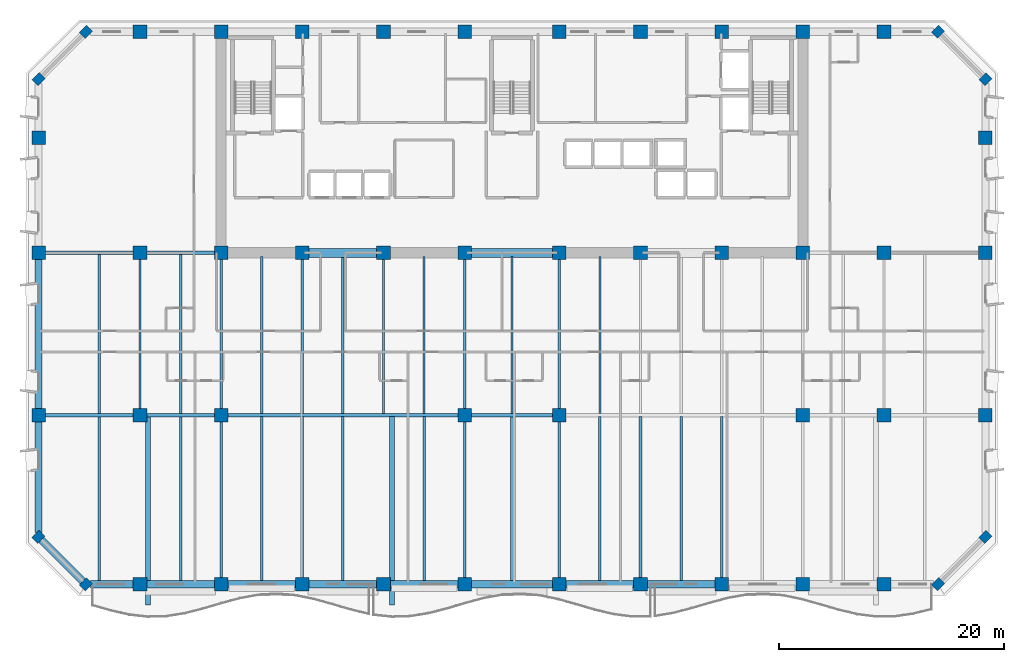
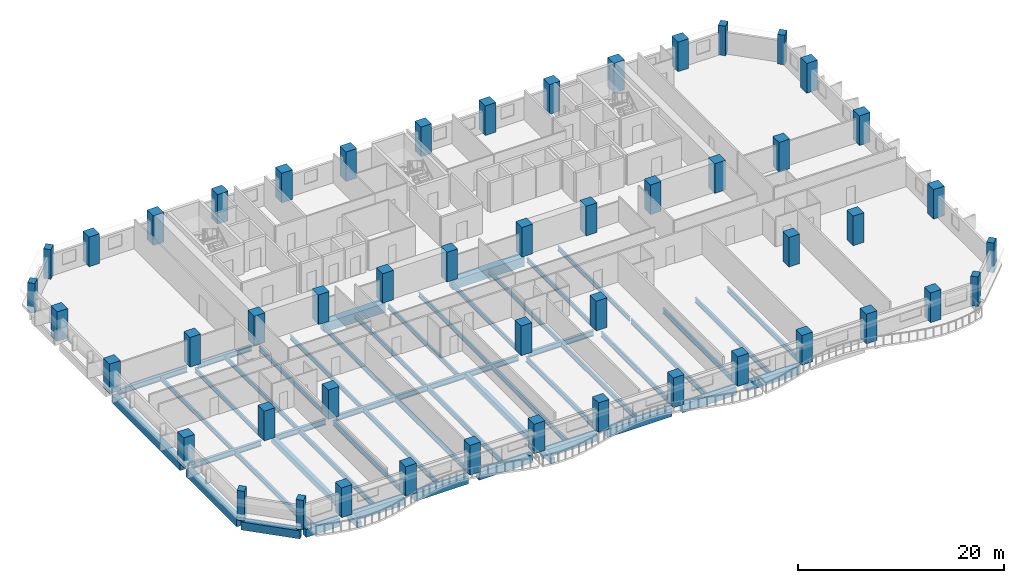
# One storey, part 1 of 14: 50 columns, 48 beams.
"""IFC4 building model written with IfcOpenShell, lengths in metres."""

from ifc_helpers import new_model, si_unit, direction, frame, origin, origin_2d, place, context, subcontext, project, spatial, rectangle, i_section, extrude, material, material_profile, profile_set, type_object, element, save


model = new_model("IFC4")

# Units and contexts
model_context = context("Model", 3, precision=1e-05, world=origin(), true_north=direction((0.0, 1.0)))
body_context = subcontext(model_context, "Body", "Model", "MODEL_VIEW")
ifc_project = project(units=[si_unit("LENGTHUNIT", "METRE"), si_unit("AREAUNIT", "SQUARE_METRE"), si_unit("VOLUMEUNIT", "CUBIC_METRE"), si_unit("PLANEANGLEUNIT", "RADIAN"), si_unit("MASSUNIT", "GRAM", prefix="KILO")], contexts=[model_context])

# Site, building, storey
site_placement = place(None, origin())
site = spatial("IfcSite", under=ifc_project, at=site_placement, CompositionType="ELEMENT")
building_placement = place(site_placement, origin())
building = spatial("IfcBuilding", under=site, at=building_placement, Name="Kaelvorn Grand Hotel", CompositionType="ELEMENT")
storey_placement = place(building_placement, frame((0.0, 0.0, 89.300048828125)))
storey = spatial("IfcBuildingStorey", under=building, at=storey_placement, Name="L20", CompositionType="ELEMENT", Elevation=89.300048828125)

# Columns
ifc_material_1 = material(Name="Concrete C60/75", Category="concrete")
ifc_material_profile_1 = material_profile(ifc_material_1, rectangle(XDim=0.89990234375, YDim=0.75, at=origin_2d()), Name="RC PILASTER 900x750")
ifc_profile_set_1 = profile_set([ifc_material_profile_1], Name="Concrete C60/75")
column_type_1 = type_object("IfcColumnType", Name="COL-PIL-900x750-C60", PredefinedType="PILASTER", material=ifc_profile_set_1)
for number, where, z_axis, x_axis, name in (
    (1, (4.199951171875, 0.0, 0.0), (0.0, 0.0, 1.0), (0.707106781187, 0.707106781187, 0.0), "L20 Structural Column CH-01"),
    (2, (79.800048828125, 0.0, 0.0), (0.0, 0.0, 1.0), (0.707106781187, 0.707106781187, 0.0), "L20 Structural Column CH-02"),
    (3, (84.0, 4.199951171875, 0.0), (0.0, 0.0, 1.0), (0.707106781187, 0.707106781187, 0.0), "L20 Structural Column CH-03"),
    (4, (84.0, 44.800048828125, 0.0), (0.0, 0.0, 1.0), (0.707106781187, 0.707106781187, 0.0), "L20 Structural Column CH-04"),
    (5, (79.800048828125, 49.0, 0.0), (0.0, 0.0, 1.0), (0.707106781187, 0.707106781187, 0.0), "L20 Structural Column CH-05"),
    (6, (4.199951171875, 49.0, 0.0), (0.0, 0.0, 1.0), (0.707106781187, 0.707106781187, 0.0), "L20 Structural Column CH-06"),
    (7, (0.0, 44.800048828125, 0.0), (0.0, 0.0, 1.0), (0.707106781187, 0.707106781187, 0.0), "L20 Structural Column CH-07"),
    (8, (0.0, 4.199951171875, 0.0), (0.0, 0.0, 1.0), (0.707106781187, 0.707106781187, 0.0), "L20 Structural Column CH-08"),
):
    element("IfcColumn", number, at=place(storey_placement, frame(where, z_axis=z_axis, x_axis=x_axis)), inside=storey, type_object=column_type_1, Name=name, PredefinedType="PILASTER", context=body_context, shape_type="SweptSolid", body=[
        extrude(rectangle(XDim=0.89990234375, YDim=0.75, at=origin_2d()), origin(), (0.0, 0.0, 1.0), 3.510009765625),
    ])
ifc_material_profile_2 = material_profile(ifc_material_1, rectangle(XDim=1.199951171875, YDim=1.199951171875, at=origin_2d()), Name="RC COL 1200x1200")
ifc_profile_set_2 = profile_set([ifc_material_profile_2], Name="Concrete C60/75")
column_type_2 = type_object("IfcColumnType", Name="COL-RC-1200-C60", PredefinedType="COLUMN", material=ifc_profile_set_2)
for number, where, z_axis, x_axis, name in (
    (9, (9.0, 0.0, 0.0), (0.0, 0.0, 1.0), (1.0, 0.0, 0.0), "L20 Structural Column S-01"),
    (10, (16.199951171875, 0.0, 0.0), (0.0, 0.0, 1.0), (1.0, 0.0, 0.0), "L20 Structural Column S-02"),
    (11, (23.39990234375, 0.0, 0.0), (0.0, 0.0, 1.0), (1.0, 0.0, 0.0), "L20 Structural Column S-03"),
    (12, (30.60009765625, 0.0, 0.0), (0.0, 0.0, 1.0), (1.0, 0.0, 0.0), "L20 Structural Column S-04"),
    (13, (37.800048828125, 0.0, 0.0), (0.0, 0.0, 1.0), (1.0, 0.0, 0.0), "L20 Structural Column S-05"),
    (14, (46.199951171875, 0.0, 0.0), (0.0, 0.0, 1.0), (1.0, 0.0, 0.0), "L20 Structural Column S-06"),
    (15, (53.39990234375, 0.0, 0.0), (0.0, 0.0, 1.0), (1.0, 0.0, 0.0), "L20 Structural Column S-07"),
    (16, (60.60009765625, 0.0, 0.0), (0.0, 0.0, 1.0), (1.0, 0.0, 0.0), "L20 Structural Column S-08"),
    (17, (67.800048828125, 0.0, 0.0), (0.0, 0.0, 1.0), (1.0, 0.0, 0.0), "L20 Structural Column S-09"),
    (18, (75.0, 0.0, 0.0), (0.0, 0.0, 1.0), (1.0, 0.0, 0.0), "L20 Structural Column S-10"),
    (19, (0.0, 15.0, 0.0), (0.0, 0.0, 1.0), (1.0, 0.0, 0.0), "L20 Structural Column W-01"),
    (20, (84.0, 15.0, 0.0), (0.0, 0.0, 1.0), (1.0, 0.0, 0.0), "L20 Structural Column E-01"),
    (21, (0.0, 29.39990234375, 0.0), (0.0, 0.0, 1.0), (1.0, 0.0, 0.0), "L20 Structural Column W-02"),
    (22, (84.0, 29.39990234375, 0.0), (0.0, 0.0, 1.0), (1.0, 0.0, 0.0), "L20 Structural Column E-02"),
    (23, (0.0, 39.60009765625, 0.0), (0.0, 0.0, 1.0), (1.0, 0.0, 0.0), "L20 Structural Column W-03"),
    (24, (84.0, 39.60009765625, 0.0), (0.0, 0.0, 1.0), (1.0, 0.0, 0.0), "L20 Structural Column E-03"),
    (25, (9.0, 15.0, 0.0), (0.0, 0.0, 1.0), (1.0, 0.0, 0.0), "L20 Structural Column M-01"),
    (26, (16.199951171875, 15.0, 0.0), (0.0, 0.0, 1.0), (1.0, 0.0, 0.0), "L20 Structural Column M-02"),
    (27, (37.800048828125, 15.0, 0.0), (0.0, 0.0, 1.0), (1.0, 0.0, 0.0), "L20 Structural Column M-03"),
    (28, (46.199951171875, 15.0, 0.0), (0.0, 0.0, 1.0), (1.0, 0.0, 0.0), "L20 Structural Column M-04"),
    (29, (67.800048828125, 15.0, 0.0), (0.0, 0.0, 1.0), (1.0, 0.0, 0.0), "L20 Structural Column M-05"),
    (30, (75.0, 15.0, 0.0), (0.0, 0.0, 1.0), (1.0, 0.0, 0.0), "L20 Structural Column M-06"),
    (31, (9.0, 29.39990234375, 0.0), (0.0, 0.0, 1.0), (1.0, 0.0, 0.0), "L20 Structural Column CR1-01"),
    (32, (9.0, 49.0, 0.0), (0.0, 0.0, 1.0), (1.0, 0.0, 0.0), "L20 Structural Column CR2-01"),
    (33, (16.199951171875, 29.39990234375, 0.0), (0.0, 0.0, 1.0), (1.0, 0.0, 0.0), "L20 Structural Column CR1-02"),
    (34, (16.199951171875, 49.0, 0.0), (0.0, 0.0, 1.0), (1.0, 0.0, 0.0), "L20 Structural Column CR2-02"),
    (35, (23.39990234375, 29.39990234375, 0.0), (0.0, 0.0, 1.0), (1.0, 0.0, 0.0), "L20 Structural Column CR1-03"),
    (36, (23.39990234375, 49.0, 0.0), (0.0, 0.0, 1.0), (1.0, 0.0, 0.0), "L20 Structural Column CR2-03"),
    (37, (30.60009765625, 29.39990234375, 0.0), (0.0, 0.0, 1.0), (1.0, 0.0, 0.0), "L20 Structural Column CR1-04"),
    (38, (30.60009765625, 49.0, 0.0), (0.0, 0.0, 1.0), (1.0, 0.0, 0.0), "L20 Structural Column CR2-04"),
    (39, (37.800048828125, 29.39990234375, 0.0), (0.0, 0.0, 1.0), (1.0, 0.0, 0.0), "L20 Structural Column CR1-05"),
    (40, (37.800048828125, 49.0, 0.0), (0.0, 0.0, 1.0), (1.0, 0.0, 0.0), "L20 Structural Column CR2-05"),
    (41, (46.199951171875, 29.39990234375, 0.0), (0.0, 0.0, 1.0), (1.0, 0.0, 0.0), "L20 Structural Column CR1-06"),
    (42, (46.199951171875, 49.0, 0.0), (0.0, 0.0, 1.0), (1.0, 0.0, 0.0), "L20 Structural Column CR2-06"),
    (43, (53.39990234375, 29.39990234375, 0.0), (0.0, 0.0, 1.0), (1.0, 0.0, 0.0), "L20 Structural Column CR1-07"),
    (44, (53.39990234375, 49.0, 0.0), (0.0, 0.0, 1.0), (1.0, 0.0, 0.0), "L20 Structural Column CR2-07"),
    (45, (60.60009765625, 29.39990234375, 0.0), (0.0, 0.0, 1.0), (1.0, 0.0, 0.0), "L20 Structural Column CR1-08"),
    (46, (60.60009765625, 49.0, 0.0), (0.0, 0.0, 1.0), (1.0, 0.0, 0.0), "L20 Structural Column CR2-08"),
    (47, (67.800048828125, 29.39990234375, 0.0), (0.0, 0.0, 1.0), (1.0, 0.0, 0.0), "L20 Structural Column CR1-09"),
    (48, (67.800048828125, 49.0, 0.0), (0.0, 0.0, 1.0), (1.0, 0.0, 0.0), "L20 Structural Column CR2-09"),
    (49, (75.0, 29.39990234375, 0.0), (0.0, 0.0, 1.0), (1.0, 0.0, 0.0), "L20 Structural Column CR1-10"),
    (50, (75.0, 49.0, 0.0), (0.0, 0.0, 1.0), (1.0, 0.0, 0.0), "L20 Structural Column CR2-10"),
):
    element("IfcColumn", number, at=place(storey_placement, frame(where, z_axis=z_axis, x_axis=x_axis)), inside=storey, type_object=column_type_2, Name=name, PredefinedType="COLUMN", context=body_context, shape_type="SweptSolid", body=[
        extrude(rectangle(XDim=1.199951171875, YDim=1.199951171875, at=origin_2d()), origin(), (0.0, 0.0, 1.0), 3.510009765625),
    ])

# Beams
ifc_material_2 = material(Name="Steel S355", Category="steel")
ifc_material_profile_3 = material_profile(ifc_material_2, i_section(OverallWidth=0.300048828125, OverallDepth=0.64990234375, WebThickness=0.01611328125, FlangeThickness=0.031005859375, FilletRadius=0.027099609375, at=origin_2d()), Name="HEB 650")
ifc_profile_set_3 = profile_set([ifc_material_profile_3], Name="Steel S355")
beam_type_1 = type_object("IfcBeamType", Name="BM-G-HEB650-S355", PredefinedType="BEAM", material=ifc_profile_set_3)
beam_1_placement = place(storey_placement, frame((0.5849609375, 15.0, -0.56494140625), z_axis=(1.0, 0.0, 0.0), x_axis=(0.0, 1.0, 0.0)))
element("IfcBeam", 51, at=beam_1_placement, inside=storey, type_object=beam_type_1, Name="L20 Primary Spine Steel Girder G-15 01", PredefinedType="BEAM", context=body_context, shape_type="SweptSolid", body=[
    extrude(i_section(OverallWidth=0.300048828125, OverallDepth=0.64990234375, WebThickness=0.01611328125, FlangeThickness=0.031005859375, FilletRadius=0.027099609375, at=origin_2d()), origin(), (0.0, 0.0, 1.0), 7.830078125),
])
beam_2_placement = place(storey_placement, frame((9.5849609375, 15.0, -0.56494140625), z_axis=(1.0, 0.0, 0.0), x_axis=(0.0, 1.0, 0.0)))
element("IfcBeam", 52, at=beam_2_placement, inside=storey, type_object=beam_type_1, Name="L20 Primary Spine Steel Girder G-15 02", PredefinedType="BEAM", context=body_context, shape_type="SweptSolid", body=[
    extrude(i_section(OverallWidth=0.300048828125, OverallDepth=0.64990234375, WebThickness=0.01611328125, FlangeThickness=0.031005859375, FilletRadius=0.027099609375, at=origin_2d()), origin(), (0.0, 0.0, 1.0), 6.030029296875),
])
beam_3_placement = place(storey_placement, frame((16.784912109375, 15.0, -0.56494140625), z_axis=(1.0, 0.0, 0.0), x_axis=(0.0, 1.0, 0.0)))
element("IfcBeam", 53, at=beam_3_placement, inside=storey, type_object=beam_type_1, Name="L20 Primary Spine Steel Girder G-15 03", PredefinedType="BEAM", context=body_context, shape_type="SweptSolid", body=[
    extrude(i_section(OverallWidth=0.300048828125, OverallDepth=0.64990234375, WebThickness=0.01611328125, FlangeThickness=0.031005859375, FilletRadius=0.027099609375, at=origin_2d()), origin(), (0.0, 0.0, 1.0), 20.43017578125),
])
beam_4_placement = place(storey_placement, frame((38.385009765625, 15.0, -0.56494140625), z_axis=(1.0, 0.0, 0.0), x_axis=(0.0, 1.0, 0.0)))
element("IfcBeam", 54, at=beam_4_placement, inside=storey, type_object=beam_type_1, Name="L20 Primary Spine Steel Girder G-15 04", PredefinedType="BEAM", context=body_context, shape_type="SweptSolid", body=[
    extrude(i_section(OverallWidth=0.300048828125, OverallDepth=0.64990234375, WebThickness=0.01611328125, FlangeThickness=0.031005859375, FilletRadius=0.027099609375, at=origin_2d()), origin(), (0.0, 0.0, 1.0), 7.22998046875),
])
beam_5_placement = place(storey_placement, frame((0.5849609375, 29.39990234375, -0.56494140625), z_axis=(1.0, 0.0, 0.0), x_axis=(0.0, 1.0, 0.0)))
element("IfcBeam", 55, at=beam_5_placement, inside=storey, type_object=beam_type_1, Name="L20 West Core Wing Steel Girder G-29W 01", PredefinedType="BEAM", context=body_context, shape_type="SweptSolid", body=[
    extrude(i_section(OverallWidth=0.300048828125, OverallDepth=0.64990234375, WebThickness=0.01611328125, FlangeThickness=0.031005859375, FilletRadius=0.027099609375, at=origin_2d()), origin(), (0.0, 0.0, 1.0), 7.830078125),
])
beam_6_placement = place(storey_placement, frame((9.5849609375, 29.39990234375, -0.56494140625), z_axis=(1.0, 0.0, 0.0), x_axis=(0.0, 1.0, 0.0)))
element("IfcBeam", 56, at=beam_6_placement, inside=storey, type_object=beam_type_1, Name="L20 West Core Wing Steel Girder G-29W 02", PredefinedType="BEAM", context=body_context, shape_type="SweptSolid", body=[
    extrude(i_section(OverallWidth=0.300048828125, OverallDepth=0.64990234375, WebThickness=0.01611328125, FlangeThickness=0.031005859375, FilletRadius=0.027099609375, at=origin_2d()), origin(), (0.0, 0.0, 1.0), 6.030029296875),
])
ifc_material_profile_4 = material_profile(ifc_material_2, i_section(OverallWidth=0.209228515625, OverallDepth=0.533203125, WebThickness=0.010009765625, FlangeThickness=0.015625, FilletRadius=0.0126953125, at=origin_2d()), Name="UB 533x210x92")
ifc_profile_set_4 = profile_set([ifc_material_profile_4], Name="Steel S355")
beam_type_2 = type_object("IfcBeamType", Name="BM-J-UB533-S355", PredefinedType="JOIST", material=ifc_profile_set_4)
beam_7_placement = place(storey_placement, frame((5.39990234375, 15.135009765625, -0.506591796875), z_axis=(0.0, 1.0, 0.0), x_axis=(-1.0, 0.0, 0.0)))
element("IfcBeam", 57, at=beam_7_placement, inside=storey, type_object=beam_type_2, Name="L20 Composite Floor Joist JM-02", PredefinedType="JOIST", context=body_context, shape_type="SweptSolid", body=[
    extrude(i_section(OverallWidth=0.209228515625, OverallDepth=0.533203125, WebThickness=0.010009765625, FlangeThickness=0.015625, FilletRadius=0.0126953125, at=origin_2d()), origin(), (0.0, 0.0, 1.0), 14.1298828125),
])
beam_8_placement = place(storey_placement, frame((9.0, 15.5849609375, -0.506591796875), z_axis=(0.0, 1.0, 0.0), x_axis=(-1.0, 0.0, 0.0)))
element("IfcBeam", 58, at=beam_8_placement, inside=storey, type_object=beam_type_2, Name="L20 Composite Floor Joist JM-03", PredefinedType="JOIST", context=body_context, shape_type="SweptSolid", body=[
    extrude(i_section(OverallWidth=0.209228515625, OverallDepth=0.533203125, WebThickness=0.010009765625, FlangeThickness=0.015625, FilletRadius=0.0126953125, at=origin_2d()), origin(), (0.0, 0.0, 1.0), 13.22998046875),
])
beam_9_placement = place(storey_placement, frame((12.60009765625, 15.135009765625, -0.506591796875), z_axis=(0.0, 1.0, 0.0), x_axis=(-1.0, 0.0, 0.0)))
element("IfcBeam", 59, at=beam_9_placement, inside=storey, type_object=beam_type_2, Name="L20 Composite Floor Joist JM-04", PredefinedType="JOIST", context=body_context, shape_type="SweptSolid", body=[
    extrude(i_section(OverallWidth=0.209228515625, OverallDepth=0.533203125, WebThickness=0.010009765625, FlangeThickness=0.015625, FilletRadius=0.0126953125, at=origin_2d()), origin(), (0.0, 0.0, 1.0), 14.1298828125),
])
beam_10_placement = place(storey_placement, frame((16.199951171875, 15.5849609375, -0.506591796875), z_axis=(0.0, 1.0, 0.0), x_axis=(-1.0, 0.0, 0.0)))
element("IfcBeam", 60, at=beam_10_placement, inside=storey, type_object=beam_type_2, Name="L20 Composite Floor Joist JM-05", PredefinedType="JOIST", context=body_context, shape_type="SweptSolid", body=[
    extrude(i_section(OverallWidth=0.209228515625, OverallDepth=0.533203125, WebThickness=0.010009765625, FlangeThickness=0.015625, FilletRadius=0.0126953125, at=origin_2d()), origin(), (0.0, 0.0, 1.0), 13.22998046875),
])
beam_11_placement = place(storey_placement, frame((19.800048828125, 15.135009765625, -0.506591796875), z_axis=(0.0, 1.0, 0.0), x_axis=(-1.0, 0.0, 0.0)))
element("IfcBeam", 61, at=beam_11_placement, inside=storey, type_object=beam_type_2, Name="L20 Composite Floor Joist JM-06", PredefinedType="JOIST", context=body_context, shape_type="SweptSolid", body=[
    extrude(i_section(OverallWidth=0.209228515625, OverallDepth=0.533203125, WebThickness=0.010009765625, FlangeThickness=0.015625, FilletRadius=0.0126953125, at=origin_2d()), origin(), (0.0, 0.0, 1.0), 13.925048828125),
])
beam_12_placement = place(storey_placement, frame((23.39990234375, 15.135009765625, -0.506591796875), z_axis=(0.0, 1.0, 0.0), x_axis=(-1.0, 0.0, 0.0)))
element("IfcBeam", 62, at=beam_12_placement, inside=storey, type_object=beam_type_2, Name="L20 Composite Floor Joist JM-07", PredefinedType="JOIST", context=body_context, shape_type="SweptSolid", body=[
    extrude(i_section(OverallWidth=0.209228515625, OverallDepth=0.533203125, WebThickness=0.010009765625, FlangeThickness=0.015625, FilletRadius=0.0126953125, at=origin_2d()), origin(), (0.0, 0.0, 1.0), 13.679931640625),
])
beam_13_placement = place(storey_placement, frame((27.0, 15.135009765625, -0.506591796875), z_axis=(0.0, 1.0, 0.0), x_axis=(-1.0, 0.0, 0.0)))
element("IfcBeam", 63, at=beam_13_placement, inside=storey, type_object=beam_type_2, Name="L20 Composite Floor Joist JM-08", PredefinedType="JOIST", context=body_context, shape_type="SweptSolid", body=[
    extrude(i_section(OverallWidth=0.209228515625, OverallDepth=0.533203125, WebThickness=0.010009765625, FlangeThickness=0.015625, FilletRadius=0.0126953125, at=origin_2d()), origin(), (0.0, 0.0, 1.0), 13.925048828125),
])
beam_14_placement = place(storey_placement, frame((30.60009765625, 15.135009765625, -0.506591796875), z_axis=(0.0, 1.0, 0.0), x_axis=(-1.0, 0.0, 0.0)))
element("IfcBeam", 64, at=beam_14_placement, inside=storey, type_object=beam_type_2, Name="L20 Composite Floor Joist JM-09", PredefinedType="JOIST", context=body_context, shape_type="SweptSolid", body=[
    extrude(i_section(OverallWidth=0.209228515625, OverallDepth=0.533203125, WebThickness=0.010009765625, FlangeThickness=0.015625, FilletRadius=0.0126953125, at=origin_2d()), origin(), (0.0, 0.0, 1.0), 13.679931640625),
])
beam_15_placement = place(storey_placement, frame((34.199951171875, 15.135009765625, -0.506591796875), z_axis=(0.0, 1.0, 0.0), x_axis=(-1.0, 0.0, 0.0)))
element("IfcBeam", 65, at=beam_15_placement, inside=storey, type_object=beam_type_2, Name="L20 Composite Floor Joist JM-10", PredefinedType="JOIST", context=body_context, shape_type="SweptSolid", body=[
    extrude(i_section(OverallWidth=0.209228515625, OverallDepth=0.533203125, WebThickness=0.010009765625, FlangeThickness=0.015625, FilletRadius=0.0126953125, at=origin_2d()), origin(), (0.0, 0.0, 1.0), 13.925048828125),
])
beam_16_placement = place(storey_placement, frame((37.800048828125, 15.5849609375, -0.506591796875), z_axis=(0.0, 1.0, 0.0), x_axis=(-1.0, 0.0, 0.0)))
element("IfcBeam", 66, at=beam_16_placement, inside=storey, type_object=beam_type_2, Name="L20 Composite Floor Joist JM-11", PredefinedType="JOIST", context=body_context, shape_type="SweptSolid", body=[
    extrude(i_section(OverallWidth=0.209228515625, OverallDepth=0.533203125, WebThickness=0.010009765625, FlangeThickness=0.015625, FilletRadius=0.0126953125, at=origin_2d()), origin(), (0.0, 0.0, 1.0), 13.22998046875),
])
beam_17_placement = place(storey_placement, frame((42.0, 15.135009765625, -0.506591796875), z_axis=(0.0, 1.0, 0.0), x_axis=(-1.0, 0.0, 0.0)))
element("IfcBeam", 67, at=beam_17_placement, inside=storey, type_object=beam_type_2, Name="L20 Composite Floor Joist JM-12", PredefinedType="JOIST", context=body_context, shape_type="SweptSolid", body=[
    extrude(i_section(OverallWidth=0.209228515625, OverallDepth=0.533203125, WebThickness=0.010009765625, FlangeThickness=0.015625, FilletRadius=0.0126953125, at=origin_2d()), origin(), (0.0, 0.0, 1.0), 13.925048828125),
])
beam_18_placement = place(storey_placement, frame((46.199951171875, 15.5849609375, -0.506591796875), z_axis=(0.0, 1.0, 0.0), x_axis=(-1.0, 0.0, 0.0)))
element("IfcBeam", 68, at=beam_18_placement, inside=storey, type_object=beam_type_2, Name="L20 Composite Floor Joist JM-13", PredefinedType="JOIST", context=body_context, shape_type="SweptSolid", body=[
    extrude(i_section(OverallWidth=0.209228515625, OverallDepth=0.533203125, WebThickness=0.010009765625, FlangeThickness=0.015625, FilletRadius=0.0126953125, at=origin_2d()), origin(), (0.0, 0.0, 1.0), 13.22998046875),
])
beam_19_placement = place(storey_placement, frame((49.800048828125, 15.135009765625, -0.506591796875), z_axis=(0.0, 1.0, 0.0), x_axis=(-1.0, 0.0, 0.0)))
element("IfcBeam", 69, at=beam_19_placement, inside=storey, type_object=beam_type_2, Name="L20 Composite Floor Joist JM-14", PredefinedType="JOIST", context=body_context, shape_type="SweptSolid", body=[
    extrude(i_section(OverallWidth=0.209228515625, OverallDepth=0.533203125, WebThickness=0.010009765625, FlangeThickness=0.015625, FilletRadius=0.0126953125, at=origin_2d()), origin(), (0.0, 0.0, 1.0), 13.925048828125),
])
ifc_material_profile_5 = material_profile(ifc_material_2, i_section(OverallWidth=0.22900390625, OverallDepth=0.6123046875, WebThickness=0.011962890625, FlangeThickness=0.01953125, FilletRadius=0.0126953125, at=origin_2d()), Name="UB 610x229x125")
ifc_profile_set_5 = profile_set([ifc_material_profile_5], Name="Steel S355")
beam_type_3 = type_object("IfcBeamType", Name="BM-J-UB610-S355", PredefinedType="JOIST", material=ifc_profile_set_5)
for number, where, z_axis, x_axis, name in (
    (70, (5.39990234375, 0.31005859375, -0.546142578125), (0.0, 1.0, 0.0), (-1.0, 0.0, 0.0), "L20 Composite Floor Joist JS-02"),
    (71, (12.60009765625, 0.31005859375, -0.546142578125), (0.0, 1.0, 0.0), (-1.0, 0.0, 0.0), "L20 Composite Floor Joist JS-04"),
):
    element("IfcBeam", number, at=place(storey_placement, frame(where, z_axis=z_axis, x_axis=x_axis)), inside=storey, type_object=beam_type_3, Name=name, PredefinedType="JOIST", context=body_context, shape_type="SweptSolid", body=[
        extrude(i_section(OverallWidth=0.22900390625, OverallDepth=0.6123046875, WebThickness=0.011962890625, FlangeThickness=0.01953125, FilletRadius=0.0126953125, at=origin_2d()), origin(), (0.0, 0.0, 1.0), 14.554931640625),
    ])
beam_20_placement = place(storey_placement, frame((16.199951171875, 0.5849609375, -0.546142578125), z_axis=(0.0, 1.0, 0.0), x_axis=(-1.0, 0.0, 0.0)))
element("IfcBeam", 72, at=beam_20_placement, inside=storey, type_object=beam_type_3, Name="L20 Composite Floor Joist JS-05", PredefinedType="JOIST", context=body_context, shape_type="SweptSolid", body=[
    extrude(i_section(OverallWidth=0.22900390625, OverallDepth=0.6123046875, WebThickness=0.011962890625, FlangeThickness=0.01953125, FilletRadius=0.0126953125, at=origin_2d()), origin(), (0.0, 0.0, 1.0), 13.830078125),
])
beam_21_placement = place(storey_placement, frame((19.800048828125, 0.31005859375, -0.546142578125), z_axis=(0.0, 1.0, 0.0), x_axis=(-1.0, 0.0, 0.0)))
element("IfcBeam", 73, at=beam_21_placement, inside=storey, type_object=beam_type_3, Name="L20 Composite Floor Joist JS-06", PredefinedType="JOIST", context=body_context, shape_type="SweptSolid", body=[
    extrude(i_section(OverallWidth=0.22900390625, OverallDepth=0.6123046875, WebThickness=0.011962890625, FlangeThickness=0.01953125, FilletRadius=0.0126953125, at=origin_2d()), origin(), (0.0, 0.0, 1.0), 14.554931640625),
])
beam_22_placement = place(storey_placement, frame((23.39990234375, 0.5849609375, -0.546142578125), z_axis=(0.0, 1.0, 0.0), x_axis=(-1.0, 0.0, 0.0)))
element("IfcBeam", 74, at=beam_22_placement, inside=storey, type_object=beam_type_3, Name="L20 Composite Floor Joist JS-07", PredefinedType="JOIST", context=body_context, shape_type="SweptSolid", body=[
    extrude(i_section(OverallWidth=0.22900390625, OverallDepth=0.6123046875, WebThickness=0.011962890625, FlangeThickness=0.01953125, FilletRadius=0.0126953125, at=origin_2d()), origin(), (0.0, 0.0, 1.0), 14.280029296875),
])
for number, where, z_axis, x_axis, name in (
    (75, (27.0, 0.31005859375, -0.546142578125), (0.0, 1.0, 0.0), (-1.0, 0.0, 0.0), "L20 Composite Floor Joist JS-08"),
    (76, (34.199951171875, 0.31005859375, -0.546142578125), (0.0, 1.0, 0.0), (-1.0, 0.0, 0.0), "L20 Composite Floor Joist JS-10"),
):
    element("IfcBeam", number, at=place(storey_placement, frame(where, z_axis=z_axis, x_axis=x_axis)), inside=storey, type_object=beam_type_3, Name=name, PredefinedType="JOIST", context=body_context, shape_type="SweptSolid", body=[
        extrude(i_section(OverallWidth=0.22900390625, OverallDepth=0.6123046875, WebThickness=0.011962890625, FlangeThickness=0.01953125, FilletRadius=0.0126953125, at=origin_2d()), origin(), (0.0, 0.0, 1.0), 14.554931640625),
    ])
beam_23_placement = place(storey_placement, frame((37.800048828125, 0.5849609375, -0.546142578125), z_axis=(0.0, 1.0, 0.0), x_axis=(-1.0, 0.0, 0.0)))
element("IfcBeam", 77, at=beam_23_placement, inside=storey, type_object=beam_type_3, Name="L20 Composite Floor Joist JS-11", PredefinedType="JOIST", context=body_context, shape_type="SweptSolid", body=[
    extrude(i_section(OverallWidth=0.22900390625, OverallDepth=0.6123046875, WebThickness=0.011962890625, FlangeThickness=0.01953125, FilletRadius=0.0126953125, at=origin_2d()), origin(), (0.0, 0.0, 1.0), 13.830078125),
])
beam_24_placement = place(storey_placement, frame((42.0, 0.31005859375, -0.546142578125), z_axis=(0.0, 1.0, 0.0), x_axis=(-1.0, 0.0, 0.0)))
element("IfcBeam", 78, at=beam_24_placement, inside=storey, type_object=beam_type_3, Name="L20 Composite Floor Joist JS-12", PredefinedType="JOIST", context=body_context, shape_type="SweptSolid", body=[
    extrude(i_section(OverallWidth=0.22900390625, OverallDepth=0.6123046875, WebThickness=0.011962890625, FlangeThickness=0.01953125, FilletRadius=0.0126953125, at=origin_2d()), origin(), (0.0, 0.0, 1.0), 14.554931640625),
])
beam_25_placement = place(storey_placement, frame((46.199951171875, 0.5849609375, -0.546142578125), z_axis=(0.0, 1.0, 0.0), x_axis=(-1.0, 0.0, 0.0)))
element("IfcBeam", 79, at=beam_25_placement, inside=storey, type_object=beam_type_3, Name="L20 Composite Floor Joist JS-13", PredefinedType="JOIST", context=body_context, shape_type="SweptSolid", body=[
    extrude(i_section(OverallWidth=0.22900390625, OverallDepth=0.6123046875, WebThickness=0.011962890625, FlangeThickness=0.01953125, FilletRadius=0.0126953125, at=origin_2d()), origin(), (0.0, 0.0, 1.0), 13.830078125),
])
beam_26_placement = place(storey_placement, frame((49.800048828125, 0.31005859375, -0.546142578125), z_axis=(0.0, 1.0, 0.0), x_axis=(-1.0, 0.0, 0.0)))
element("IfcBeam", 80, at=beam_26_placement, inside=storey, type_object=beam_type_3, Name="L20 Composite Floor Joist JS-14", PredefinedType="JOIST", context=body_context, shape_type="SweptSolid", body=[
    extrude(i_section(OverallWidth=0.22900390625, OverallDepth=0.6123046875, WebThickness=0.011962890625, FlangeThickness=0.01953125, FilletRadius=0.0126953125, at=origin_2d()), origin(), (0.0, 0.0, 1.0), 14.554931640625),
])
beam_27_placement = place(storey_placement, frame((53.39990234375, 0.5849609375, -0.546142578125), z_axis=(0.0, 1.0, 0.0), x_axis=(-1.0, 0.0, 0.0)))
element("IfcBeam", 81, at=beam_27_placement, inside=storey, type_object=beam_type_3, Name="L20 Composite Floor Joist JS-15", PredefinedType="JOIST", context=body_context, shape_type="SweptSolid", body=[
    extrude(i_section(OverallWidth=0.22900390625, OverallDepth=0.6123046875, WebThickness=0.011962890625, FlangeThickness=0.01953125, FilletRadius=0.0126953125, at=origin_2d()), origin(), (0.0, 0.0, 1.0), 14.280029296875),
])
beam_28_placement = place(storey_placement, frame((57.0, 0.31005859375, -0.546142578125), z_axis=(0.0, 1.0, 0.0), x_axis=(-1.0, 0.0, 0.0)))
element("IfcBeam", 82, at=beam_28_placement, inside=storey, type_object=beam_type_3, Name="L20 Composite Floor Joist JS-16", PredefinedType="JOIST", context=body_context, shape_type="SweptSolid", body=[
    extrude(i_section(OverallWidth=0.22900390625, OverallDepth=0.6123046875, WebThickness=0.011962890625, FlangeThickness=0.01953125, FilletRadius=0.0126953125, at=origin_2d()), origin(), (0.0, 0.0, 1.0), 14.554931640625),
])
beam_29_placement = place(storey_placement, frame((60.60009765625, 0.5849609375, -0.546142578125), z_axis=(0.0, 1.0, 0.0), x_axis=(-1.0, 0.0, 0.0)))
element("IfcBeam", 83, at=beam_29_placement, inside=storey, type_object=beam_type_3, Name="L20 Composite Floor Joist JS-17", PredefinedType="JOIST", context=body_context, shape_type="SweptSolid", body=[
    extrude(i_section(OverallWidth=0.22900390625, OverallDepth=0.6123046875, WebThickness=0.011962890625, FlangeThickness=0.01953125, FilletRadius=0.0126953125, at=origin_2d()), origin(), (0.0, 0.0, 1.0), 14.280029296875),
])
ifc_material_profile_6 = material_profile(ifc_material_1, rectangle(XDim=0.800048828125, YDim=1.10009765625, at=origin_2d()), Name="RC LINTEL 800x1100")
ifc_profile_set_6 = profile_set([ifc_material_profile_6], Name="Concrete C60/75")
beam_type_4 = type_object("IfcBeamType", Name="BM-LIN-800x1100-C60", PredefinedType="LINTEL", material=ifc_profile_set_6)
beam_30_placement = place(storey_placement, frame((23.580078125, 29.39990234375, -0.7900390625), z_axis=(1.0, 0.0, 0.0), x_axis=(0.0, 1.0, 0.0)))
element("IfcBeam", 84, at=beam_30_placement, inside=storey, type_object=beam_type_4, Name="L20 Rear-Core Coupling Lintel Beam CB1-01", PredefinedType="LINTEL", context=body_context, shape_type="SweptSolid", body=[
    extrude(rectangle(XDim=0.800048828125, YDim=1.10009765625, at=origin_2d()), origin(), (0.0, 0.0, 1.0), 6.83984375),
])
beam_31_placement = place(storey_placement, frame((37.97998046875, 29.39990234375, -0.7900390625), z_axis=(1.0, 0.0, 0.0), x_axis=(0.0, 1.0, 0.0)))
element("IfcBeam", 85, at=beam_31_placement, inside=storey, type_object=beam_type_4, Name="L20 Rear-Core Coupling Lintel Beam CB1-02", PredefinedType="LINTEL", context=body_context, shape_type="SweptSolid", body=[
    extrude(rectangle(XDim=0.800048828125, YDim=1.10009765625, at=origin_2d()), origin(), (0.0, 0.0, 1.0), 8.0400390625),
])
ifc_material_3 = material(Name="Concrete C40/50", Category="concrete")
ifc_material_profile_7 = material_profile(ifc_material_3, rectangle(XDim=0.449951171875, YDim=0.64990234375, at=origin_2d()), Name="RC RIB 450x650")
ifc_profile_set_7 = profile_set([ifc_material_profile_7], Name="Concrete C40/50")
beam_type_5 = type_object("IfcBeamType", Name="BM-RIB-450x650-C40", PredefinedType="SPANDREL", material=ifc_profile_set_7)
for number, where, z_axis, x_axis, name in (
    (86, (9.706787109375, -1.85009765625, -0.545166015625), (0.0, 1.0, 0.0), (-1.0, 0.0, 0.0), "L20 Cantilevered Balcony Back-Span Rib RB1-1"),
    (87, (31.368896484375, -1.85009765625, -0.545166015625), (0.0, 1.0, 0.0), (-1.0, 0.0, 0.0), "L20 Cantilevered Balcony Back-Span Rib RB1-2"),
):
    element("IfcBeam", number, at=place(storey_placement, frame(where, z_axis=z_axis, x_axis=x_axis)), inside=storey, type_object=beam_type_5, Name=name, PredefinedType="SPANDREL", context=body_context, shape_type="SweptSolid", body=[
        extrude(rectangle(XDim=0.449951171875, YDim=0.64990234375, at=origin_2d()), origin(), (0.0, 0.0, 1.0), 16.715087890625),
    ])
ifc_material_profile_8 = material_profile(ifc_material_1, rectangle(XDim=0.64990234375, YDim=0.949951171875, at=origin_2d()), Name="RC SPANDREL 650x950")
ifc_profile_set_8 = profile_set([ifc_material_profile_8], Name="Concrete C60/75")
beam_type_6 = type_object("IfcBeamType", Name="BM-SP-650x950-C60", PredefinedType="SPANDREL", material=ifc_profile_set_8)
beam_32_placement = place(storey_placement, frame((4.60498046875, 0.0, -0.715087890625), z_axis=(1.0, 0.0, 0.0), x_axis=(0.0, 1.0, 0.0)))
element("IfcBeam", 88, at=beam_32_placement, inside=storey, type_object=beam_type_6, Name="L20 South Perimeter Spandrel 01", PredefinedType="SPANDREL", context=body_context, shape_type="SweptSolid", body=[
    extrude(rectangle(XDim=0.64990234375, YDim=0.949951171875, at=origin_2d()), origin(), (0.0, 0.0, 1.0), 3.81005859375),
])
for number, where, z_axis, x_axis, name in (
    (89, (9.5849609375, 0.0, -0.715087890625), (1.0, 0.0, 0.0), (0.0, 1.0, 0.0), "L20 South Perimeter Spandrel 02"),
    (90, (16.784912109375, 0.0, -0.715087890625), (1.0, 0.0, 0.0), (0.0, 1.0, 0.0), "L20 South Perimeter Spandrel 03"),
):
    element("IfcBeam", number, at=place(storey_placement, frame(where, z_axis=z_axis, x_axis=x_axis)), inside=storey, type_object=beam_type_6, Name=name, PredefinedType="SPANDREL", context=body_context, shape_type="SweptSolid", body=[
        extrude(rectangle(XDim=0.64990234375, YDim=0.949951171875, at=origin_2d()), origin(), (0.0, 0.0, 1.0), 6.030029296875),
    ])
beam_33_placement = place(storey_placement, frame((23.985107421875, 0.0, -0.715087890625), z_axis=(1.0, 0.0, 0.0), x_axis=(0.0, 1.0, 0.0)))
element("IfcBeam", 91, at=beam_33_placement, inside=storey, type_object=beam_type_6, Name="L20 South Perimeter Spandrel 04", PredefinedType="SPANDREL", context=body_context, shape_type="SweptSolid", body=[
    extrude(rectangle(XDim=0.64990234375, YDim=0.949951171875, at=origin_2d()), origin(), (0.0, 0.0, 1.0), 6.02978515625),
])
beam_34_placement = place(storey_placement, frame((31.18505859375, 0.0, -0.715087890625), z_axis=(1.0, 0.0, 0.0), x_axis=(0.0, 1.0, 0.0)))
element("IfcBeam", 92, at=beam_34_placement, inside=storey, type_object=beam_type_6, Name="L20 South Perimeter Spandrel 05", PredefinedType="SPANDREL", context=body_context, shape_type="SweptSolid", body=[
    extrude(rectangle(XDim=0.64990234375, YDim=0.949951171875, at=origin_2d()), origin(), (0.0, 0.0, 1.0), 6.030029296875),
])
beam_35_placement = place(storey_placement, frame((38.385009765625, 0.0, -0.715087890625), z_axis=(1.0, 0.0, 0.0), x_axis=(0.0, 1.0, 0.0)))
element("IfcBeam", 93, at=beam_35_placement, inside=storey, type_object=beam_type_6, Name="L20 South Perimeter Spandrel 06", PredefinedType="SPANDREL", context=body_context, shape_type="SweptSolid", body=[
    extrude(rectangle(XDim=0.64990234375, YDim=0.949951171875, at=origin_2d()), origin(), (0.0, 0.0, 1.0), 7.22998046875),
])
beam_36_placement = place(storey_placement, frame((46.784912109375, 0.0, -0.715087890625), z_axis=(1.0, 0.0, 0.0), x_axis=(0.0, 1.0, 0.0)))
element("IfcBeam", 94, at=beam_36_placement, inside=storey, type_object=beam_type_6, Name="L20 South Perimeter Spandrel 07", PredefinedType="SPANDREL", context=body_context, shape_type="SweptSolid", body=[
    extrude(rectangle(XDim=0.64990234375, YDim=0.949951171875, at=origin_2d()), origin(), (0.0, 0.0, 1.0), 6.030029296875),
])
beam_37_placement = place(storey_placement, frame((53.985107421875, 0.0, -0.715087890625), z_axis=(1.0, 0.0, 0.0), x_axis=(0.0, 1.0, 0.0)))
element("IfcBeam", 95, at=beam_37_placement, inside=storey, type_object=beam_type_6, Name="L20 South Perimeter Spandrel 08", PredefinedType="SPANDREL", context=body_context, shape_type="SweptSolid", body=[
    extrude(rectangle(XDim=0.64990234375, YDim=0.949951171875, at=origin_2d()), origin(), (0.0, 0.0, 1.0), 6.02978515625),
])
beam_38_placement = place(storey_placement, frame((0.0, 4.60498046875, -0.715087890625), z_axis=(0.0, 1.0, 0.0), x_axis=(-1.0, 0.0, 0.0)))
element("IfcBeam", 96, at=beam_38_placement, inside=storey, type_object=beam_type_6, Name="L20 West Perimeter Spandrel 01", PredefinedType="SPANDREL", context=body_context, shape_type="SweptSolid", body=[
    extrude(rectangle(XDim=0.64990234375, YDim=0.949951171875, at=origin_2d()), origin(), (0.0, 0.0, 1.0), 9.81005859375),
])
beam_39_placement = place(storey_placement, frame((0.0, 15.5849609375, -0.715087890625), z_axis=(0.0, 1.0, 0.0), x_axis=(-1.0, 0.0, 0.0)))
element("IfcBeam", 97, at=beam_39_placement, inside=storey, type_object=beam_type_6, Name="L20 West Perimeter Spandrel 02", PredefinedType="SPANDREL", context=body_context, shape_type="SweptSolid", body=[
    extrude(rectangle(XDim=0.64990234375, YDim=0.949951171875, at=origin_2d()), origin(), (0.0, 0.0, 1.0), 13.22998046875),
])
beam_40_placement = place(storey_placement, frame((0.0, 4.199951171875, -0.715087890625), z_axis=(0.707106781187, -0.707106781187, 0.0), x_axis=(0.707106781187, 0.707106781187, 0.0)))
element("IfcBeam", 98, at=beam_40_placement, inside=storey, type_object=beam_type_6, Name="L20 Chamfer Spandrel Beam 4", PredefinedType="SPANDREL", context=body_context, shape_type="SweptSolid", body=[
    extrude(rectangle(XDim=0.64990234375, YDim=0.949951171875, at=origin_2d()), origin(), (0.0, 0.0, 1.0), 5.939697265625),
])

save(model, "model.ifc")
